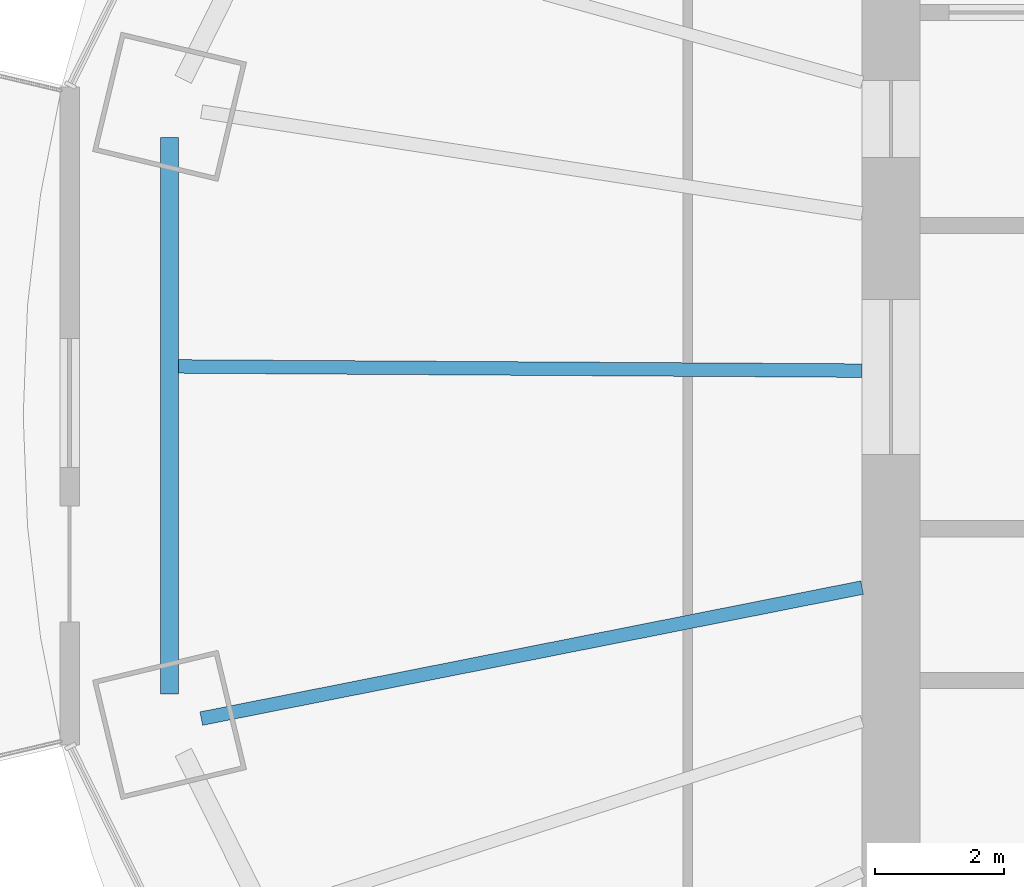
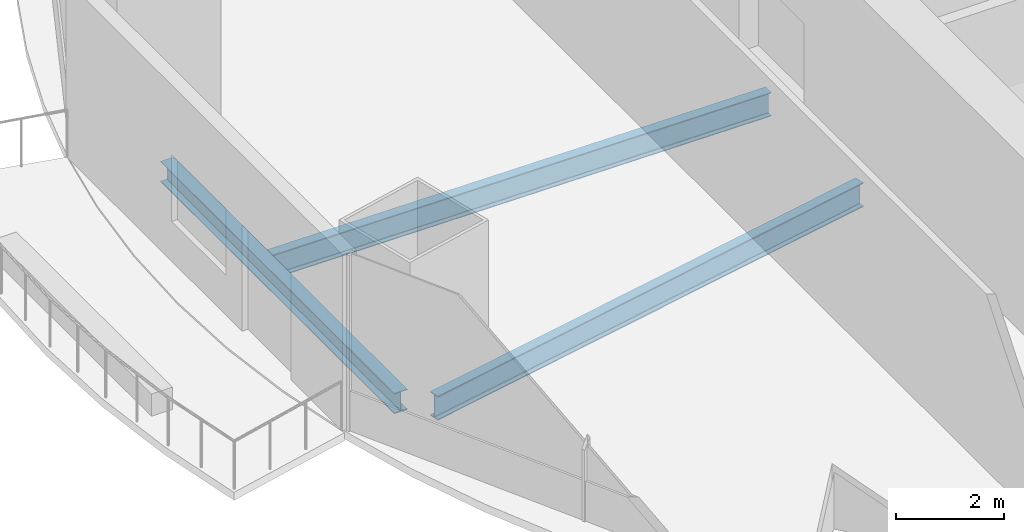
# One storey, part 3 of 20: 3 beams.
"""IFC4 building model written with IfcOpenShell, lengths in metres."""

import ifcopenshell
import ifcopenshell.guid

model = None  # the IFC model being written
_history = None  # IfcOwnerHistory: only IFC2X3 demands one
_inside = {}  # id of a spatial element -> (the spatial element, [elements in it])
_under = {}  # id of a project, library or spatial element -> (it, [spatial elements below it])
_declared = {}  # id of a project -> (the project, [libraries it declares])
_typed = {}  # id of a type object -> (the type object, [elements of that type])
_made_of = {}  # id of a material, layer set ... -> (it, [elements and type objects made of it])


def new_model(schema):
    """Start an empty IFC model of exactly this schema.

    Asked for "IFC4X3", IfcOpenShell would pick the latest addendum, in which some entities
    have other attributes; the version numbers below select the first issue.
    IFC2X3 requires an IfcOwnerHistory on every rooted entity: one is made here for all.
    """
    global model, _history
    if schema == "IFC4X3":
        model = ifcopenshell.file(schema_version=(4, 3, 0, 0))
    else:
        model = ifcopenshell.file(schema=schema)
    _inside.clear()
    _under.clear()
    _declared.clear()
    _typed.clear()
    _made_of.clear()
    _history = None
    if model.schema == "IFC2X3":
        org = make("IfcOrganization", Name="unknown")
        user = make(
            "IfcPersonAndOrganization",
            ThePerson=make("IfcPerson", FamilyName="unknown"),
            TheOrganization=org,
        )
        app = make(
            "IfcApplication",
            ApplicationDeveloper=org,
            Version="unknown",
            ApplicationFullName="unknown",
            ApplicationIdentifier="unknown",
        )
        _history = make(
            "IfcOwnerHistory",
            OwningUser=user,
            OwningApplication=app,
            ChangeAction="ADDED",
            CreationDate=0,
        )
    return model


def make(cls, **values):
    """One entity of the class cls with the attributes given. An attribute that is None is left unset."""
    return model.create_entity(
        cls, **{name: value for name, value in values.items() if value is not None}
    )


def rooted(cls, **values):
    """An entity with a GlobalId (a new one), such as an element, a storey or a relation."""
    return make(cls, GlobalId=ifcopenshell.guid.new(), OwnerHistory=_history, **values)


def si_unit(unit_type, name, prefix=None):
    """IfcSIUnit, for example si_unit("LENGTHUNIT", "METRE", prefix="MILLI")."""
    return make("IfcSIUnit", UnitType=unit_type, Prefix=prefix, Name=name)


def assignment(units):
    """IfcUnitAssignment: the units of a project."""
    return None if units is None else make("IfcUnitAssignment", Units=units)


def point(xyz):
    """IfcCartesianPoint."""
    return None if xyz is None else make("IfcCartesianPoint", Coordinates=xyz)


def direction(xyz):
    """IfcDirection."""
    return None if xyz is None else make("IfcDirection", DirectionRatios=xyz)


def frame(location, z_axis=None, x_axis=None):
    """IfcAxis2Placement3D, a coordinate frame: its origin and axes. An axis left out is left unset."""
    return make(
        "IfcAxis2Placement3D",
        Location=point(location),
        Axis=direction(z_axis),
        RefDirection=direction(x_axis),
    )


def frame_2d(location, x_axis=None):
    """IfcAxis2Placement2D, a coordinate frame in the plane: its origin and x axis."""
    return make(
        "IfcAxis2Placement2D", Location=point(location), RefDirection=direction(x_axis)
    )


def origin():
    """The frame at (0, 0, 0) with its axes left unset."""
    return frame((0.0, 0.0, 0.0))


def origin_2d():
    """The frame at (0, 0) in the plane with its x axis left unset."""
    return frame_2d((0.0, 0.0))


def place(relative_to, where):
    """IfcLocalPlacement: puts the frame where relative to a parent placement (None: the world)."""
    return make(
        "IfcLocalPlacement", PlacementRelTo=relative_to, RelativePlacement=where
    )


def context(
    kind, dimensions, precision=None, world=None, true_north=None, identifier=None
):
    """IfcGeometricRepresentationContext, for example the 3D "Model" context."""
    return make(
        "IfcGeometricRepresentationContext",
        ContextIdentifier=identifier,
        ContextType=kind,
        CoordinateSpaceDimension=dimensions,
        Precision=precision,
        WorldCoordinateSystem=world,
        TrueNorth=true_north,
    )


def subcontext(parent, identifier, kind, view, scale=None):
    """IfcGeometricRepresentationSubContext, for example "Body" below "Model"."""
    return make(
        "IfcGeometricRepresentationSubContext",
        ContextIdentifier=identifier,
        ContextType=kind,
        ParentContext=parent,
        TargetScale=scale,
        TargetView=view,
    )


def project(units=None, contexts=None):
    """IfcProject with its units and contexts."""
    return rooted(
        "IfcProject",
        Name="project",
        RepresentationContexts=contexts,
        UnitsInContext=assignment(units),
    )


def spatial(cls, under=None, at=None, **own):
    """A site, building, storey or space (cls), placed at a placement, below another one or the project."""
    s = rooted(cls, ObjectPlacement=at, **own)
    if under is not None:
        _under.setdefault(under.id(), (under, []))[1].append(s)
    return s


def profile(cls, at=None, kind="AREA", **sizes):
    """A parametric profile (cls). Its sizes go by their IFC names, for example OverallWidth=200.0."""
    return make(cls, ProfileType=kind, Position=at, **sizes)


def i_section(**sizes):
    """IfcIShapeProfileDef."""
    return profile("IfcIShapeProfileDef", **sizes)


def extrude(swept, where, along, depth):
    """IfcExtrudedAreaSolid: the profile swept, set in the frame where, extruded along a direction by depth."""
    return make(
        "IfcExtrudedAreaSolid",
        SweptArea=swept,
        Position=where,
        ExtrudedDirection=direction(along),
        Depth=depth,
    )


def shape(context_of_items, identifier, shape_type, items):
    """IfcShapeRepresentation: the items that make up one representation, for example the "Body"."""
    return make(
        "IfcShapeRepresentation",
        ContextOfItems=context_of_items,
        RepresentationIdentifier=identifier,
        RepresentationType=shape_type,
        Items=items,
    )


def material(Name=None, Category=None):
    """IfcMaterial."""
    return make("IfcMaterial", Name=Name, Category=Category)


def material_profile(
    of_material, cross_section, Name=None, Category=None, Priority=None
):
    """IfcMaterialProfile: a cross section and its material."""
    return make(
        "IfcMaterialProfile",
        Name=Name,
        Material=of_material,
        Profile=cross_section,
        Priority=Priority,
        Category=Category,
    )


def profile_set(profiles, Name=None, composite=None):
    """IfcMaterialProfileSet."""
    return make(
        "IfcMaterialProfileSet",
        Name=Name,
        MaterialProfiles=profiles,
        CompositeProfile=composite,
    )


def made_of(thing, what):
    """Note that an element or type object is made of a material, layer set ...; save() writes the relation."""
    if what is not None:
        _made_of.setdefault(what.id(), (what, []))[1].append(thing)
    return thing


def type_object(cls, material=None, **own):
    """A type object (cls), such as IfcWallType, which elements share."""
    return made_of(rooted(cls, **own), material)


def element(
    cls,
    number,
    at=None,
    inside=None,
    cuts=None,
    type_object=None,
    material=None,
    context=None,
    identifier="Body",
    shape_type=None,
    held_by="IfcProductDefinitionShape",
    body=None,
    shapes=None,
    **own,
):
    """One element of the class cls, such as IfcWall. Its Tag is "e" and its number.

    at: its placement. inside: the storey or other place that contains it. cuts: it is an
    opening in that element (IfcRelVoidsElement). A single representation is given by context,
    identifier, shape_type and body (its items); several are given by shapes. held_by: the class
    of the entity that holds the representations. save() writes the other relations.
    """
    e = rooted(cls, Tag="e%d" % number, ObjectPlacement=at, **own)
    if body is not None:
        shapes = [shape(context, identifier, shape_type, body)]
    if shapes is not None:
        e.Representation = make(held_by, Representations=shapes)
    if inside is not None:
        _inside.setdefault(inside.id(), (inside, []))[1].append(e)
    if cuts is not None:
        rooted(
            "IfcRelVoidsElement", RelatingBuildingElement=cuts, RelatedOpeningElement=e
        )
    if type_object is not None:
        _typed.setdefault(type_object.id(), (type_object, []))[1].append(e)
    return made_of(e, material)


def aggregate(whole, parts):
    """IfcRelAggregates: a whole, such as a stair, and the parts it consists of."""
    return rooted("IfcRelAggregates", RelatingObject=whole, RelatedObjects=parts)


def save(model, path):
    """Write the relations noted so far, then the file.

    IfcRelAggregates (storeys below a building ...), IfcRelContainedInSpatialStructure (elements
    in a storey), IfcRelDefinesByType, IfcRelAssociatesMaterial and IfcRelDeclares: one each for
    every whole, place, type object, material and project.
    """
    for whole, parts in _under.values():
        aggregate(whole, parts)
    for where, things in _inside.values():
        rooted(
            "IfcRelContainedInSpatialStructure",
            RelatedElements=things,
            RelatingStructure=where,
        )
    for kind, things in _typed.values():
        rooted("IfcRelDefinesByType", RelatedObjects=things, RelatingType=kind)
    for what, things in _made_of.values():
        rooted("IfcRelAssociatesMaterial", RelatedObjects=things, RelatingMaterial=what)
    for by, libraries in _declared.values():
        rooted("IfcRelDeclares", RelatingContext=by, RelatedDefinitions=libraries)
    model.write(path)


model = new_model("IFC4")

# Units and contexts
model_context = context("Model", 3, precision=1e-05, world=origin(), true_north=direction((0.0, 1.0)))
body_context = subcontext(model_context, "Body", "Model", "MODEL_VIEW")
ifc_project = project(units=[si_unit("LENGTHUNIT", "METRE"), si_unit("AREAUNIT", "SQUARE_METRE"), si_unit("VOLUMEUNIT", "CUBIC_METRE"), si_unit("PLANEANGLEUNIT", "RADIAN"), si_unit("MASSUNIT", "GRAM", prefix="KILO")], contexts=[model_context])

# Site, building, storey
site_placement = place(None, origin())
site = spatial("IfcSite", under=ifc_project, at=site_placement, CompositionType="ELEMENT")
building_placement = place(site_placement, origin())
building = spatial("IfcBuilding", under=site, at=building_placement, Name="Marenthal Gate Tower", CompositionType="ELEMENT")
storey_placement = place(building_placement, frame((0.0, 0.0, 219.14990234375)))
storey = spatial("IfcBuildingStorey", under=building, at=storey_placement, Name="L48", CompositionType="ELEMENT", Elevation=219.14990234375)

# Beams
ifc_material_1 = material(Name="Steel S355", Category="steel")
ifc_material_profile_1 = material_profile(ifc_material_1, i_section(OverallWidth=0.279052734375, OverallDepth=0.4619140625, WebThickness=0.0107421875, FlangeThickness=0.017333984375, FilletRadius=0.010009765625, at=origin_2d()), Name="W460X113")
ifc_profile_set_1 = profile_set([ifc_material_profile_1], Name="Steel S355")
beam_type_1 = type_object("IfcBeamType", Name="W460X113 beam", PredefinedType="BEAM", material=ifc_profile_set_1)
beam_1_placement = place(storey_placement, frame((-27.18212890625, 3.712646484375, -0.410888671875), z_axis=(0.0, -1.0, 0.0), x_axis=(1.0, 0.0, 0.0)))
element("IfcBeam", 1, at=beam_1_placement, inside=storey, type_object=beam_type_1, Name="BM-L48-48", PredefinedType="BEAM", context=body_context, shape_type="SweptSolid", body=[
    extrude(i_section(OverallWidth=0.279052734375, OverallDepth=0.4619140625, WebThickness=0.0107421875, FlangeThickness=0.017333984375, FilletRadius=0.010009765625, at=origin_2d()), origin(), (0.0, 0.0, 1.0), 8.625244140625),
])
ifc_material_2 = material(Name="Steel S355", Category="steel")
ifc_material_profile_2 = material_profile(ifc_material_2, i_section(OverallWidth=0.2099609375, OverallDepth=0.535888671875, WebThickness=0.010986328125, FlangeThickness=0.017333984375, FilletRadius=0.0126953125, at=origin_2d()), Name="W530X101")
ifc_profile_set_2 = profile_set([ifc_material_profile_2], Name="Steel S355")
beam_type_2 = type_object("IfcBeamType", Name="W530X101 beam", PredefinedType="BEAM", material=ifc_profile_set_2)
beam_2_placement = place(storey_placement, frame((-27.042724609375, 0.16552734375, -0.447998046875), z_axis=(0.999981207621, -0.006130612179, 0.0), x_axis=(0.006130612179, 0.999981207621, 0.0)))
element("IfcBeam", 2, at=beam_2_placement, inside=storey, type_object=beam_type_2, Name="BM-L48-28", PredefinedType="BEAM", context=body_context, shape_type="SweptSolid", body=[
    extrude(i_section(OverallWidth=0.2099609375, OverallDepth=0.535888671875, WebThickness=0.010986328125, FlangeThickness=0.017333984375, FilletRadius=0.0126953125, at=origin_2d()), origin(), (0.0, 0.0, 1.0), 10.593017578125),
])
ifc_material_3 = material(Name="Steel S355", Category="steel")
ifc_material_profile_3 = material_profile(ifc_material_3, i_section(OverallWidth=0.2119140625, OverallDepth=0.5439453125, WebThickness=0.01318359375, FlangeThickness=0.021240234375, FilletRadius=0.0126953125, at=origin_2d()), Name="W530X123")
ifc_profile_set_3 = profile_set([ifc_material_profile_3], Name="Steel S355")
beam_type_3 = type_object("IfcBeamType", Name="W530X123 beam", PredefinedType="BEAM", material=ifc_profile_set_3)
beam_3_placement = place(storey_placement, frame((-26.69091796875, -5.2919921875, -0.451904296875), z_axis=(0.980909367925, 0.194465451729, 0.0), x_axis=(-0.194465451729, 0.980909367925, 0.0)))
element("IfcBeam", 3, at=beam_3_placement, inside=storey, type_object=beam_type_3, Name="BM-L48-09", PredefinedType="BEAM", context=body_context, shape_type="SweptSolid", body=[
    extrude(i_section(OverallWidth=0.2119140625, OverallDepth=0.5439453125, WebThickness=0.01318359375, FlangeThickness=0.021240234375, FilletRadius=0.0126953125, at=origin_2d()), origin(), (0.0, 0.0, 1.0), 10.440185546875),
])

save(model, "model.ifc")
